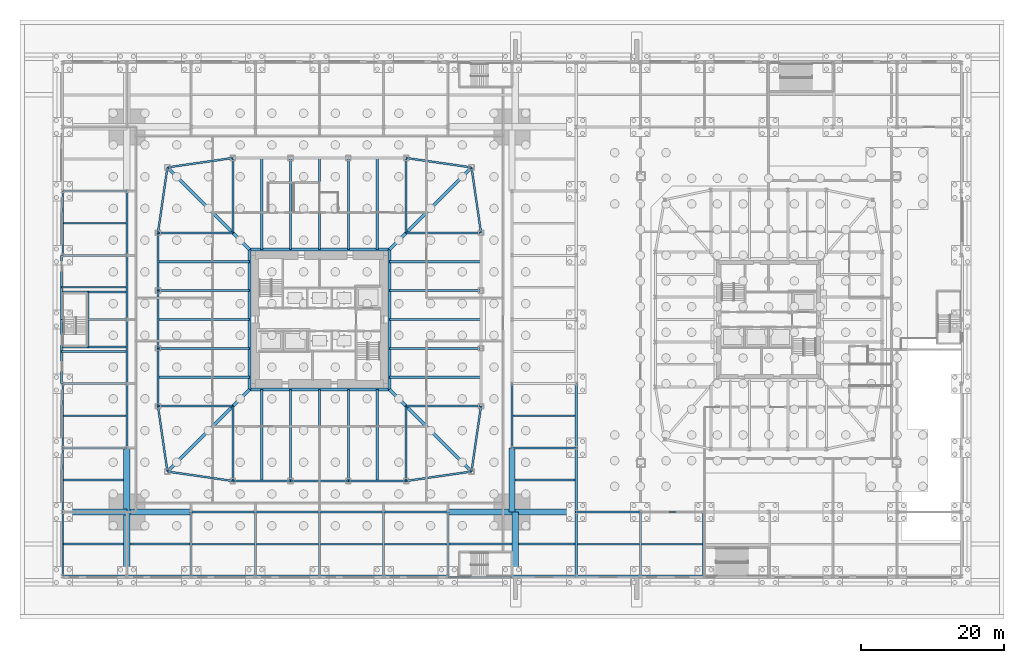
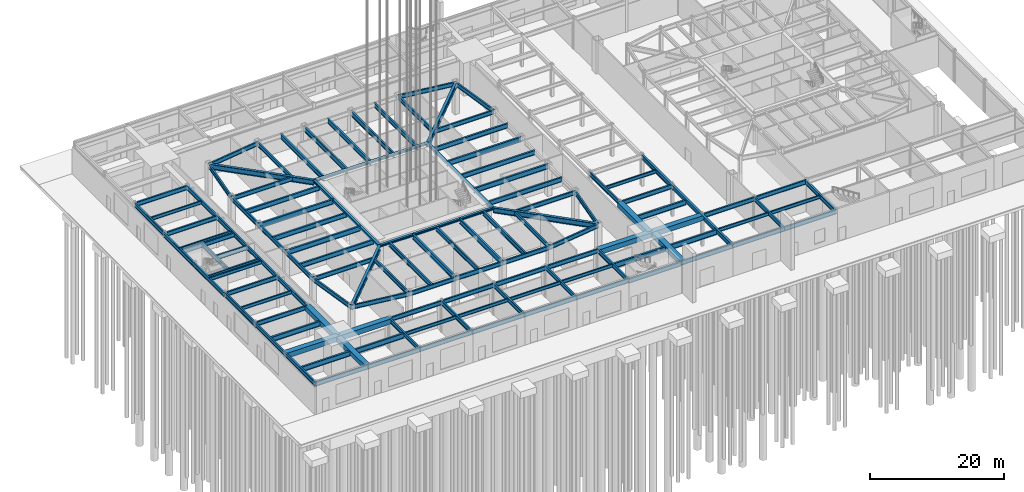
# One storey, part 9 of 37: 121 beams.
"""IFC4 building model written with IfcOpenShell, lengths in metres."""

from ifc_helpers import new_model, si_unit, direction, frame, origin, origin_2d, place, context, subcontext, project, spatial, hollow_rectangle, i_section, extrude, material, material_profile, profile_set, type_object, element, save


model = new_model("IFC4")

# Units and contexts
model_context = context("Model", 3, precision=1e-05, world=origin(), true_north=direction((0.0, 1.0)))
body_context = subcontext(model_context, "Body", "Model", "MODEL_VIEW")
ifc_project = project(units=[si_unit("LENGTHUNIT", "METRE"), si_unit("AREAUNIT", "SQUARE_METRE"), si_unit("VOLUMEUNIT", "CUBIC_METRE"), si_unit("PLANEANGLEUNIT", "RADIAN"), si_unit("MASSUNIT", "GRAM", prefix="KILO")], contexts=[model_context])

# Site, building, storey
site_placement = place(None, origin())
site = spatial("IfcSite", under=ifc_project, at=site_placement, CompositionType="ELEMENT")
building_placement = place(site_placement, origin())
building = spatial("IfcBuilding", under=site, at=building_placement, Name="Iwan Alto Co-Living Towers", CompositionType="ELEMENT")
storey_placement = place(building_placement, origin())
storey = spatial("IfcBuildingStorey", under=building, at=storey_placement, Name="L00", CompositionType="ELEMENT", Elevation=0.0)

# Beams
ifc_material_1 = material(Name="Steel ASTM A992 Gr 50", Category="steel")
ifc_material_profile_1 = material_profile(ifc_material_1, i_section(OverallWidth=0.2666015625, OverallDepth=0.76953125, WebThickness=0.015625, FlangeThickness=0.025390625, at=origin_2d()), Name="W30X132")
ifc_profile_set_1 = profile_set([ifc_material_profile_1], Name="Steel ASTM A992 Gr 50")
beam_type_1 = type_object("IfcBeamType", Name="PODIUM BEAM W30X132", PredefinedType="BEAM", material=ifc_profile_set_1)
for number, where, z_axis, x_axis, name in (
    (1, (-36.0, -36.0, 5.365234375), (1.0, 0.0, 0.0), (0.0, 1.0, 0.0), "Podium beam 1/A-2/A L01"),
    (2, (-36.0, -36.0, 5.365234375), (0.0, 1.0, 0.0), (-1.0, 0.0, 0.0), "Podium beam 1/A-1/B L01"),
    (3, (-36.0, -27.0, 5.365234375), (0.0, 1.0, 0.0), (-1.0, 0.0, 0.0), "Podium beam 1/B-1/C L01"),
    (4, (-36.0, -18.0, 5.365234375), (1.0, 0.0, 0.0), (0.0, 1.0, 0.0), "Podium beam 1/C-2/C L01"),
    (5, (-36.0, -18.0, 5.365234375), (0.0, 1.0, 0.0), (-1.0, 0.0, 0.0), "Podium beam 1/C-1/D L01"),
    (6, (-36.0, -9.0, 5.365234375), (1.0, 0.0, 0.0), (0.0, 1.0, 0.0), "Podium beam 1/D-2/D L01"),
    (7, (-36.1533203125, -9.0, 5.365234375), (0.0, 1.0, 0.0), (-1.0, 0.0, 0.0), "Podium beam 1/D-1/E L01"),
    (8, (-36.1533203125, 0.0, 5.365234375), (0.0, 1.0, 0.0), (-1.0, 0.0, 0.0), "Podium beam 1/E-1/F L01"),
    (9, (-36.0, 9.0, 5.365234375), (1.0, 0.0, 0.0), (0.0, 1.0, 0.0), "Podium beam 1/F-2/F L01"),
    (10, (-36.0, 9.0, 5.365234375), (0.0, 1.0, 0.0), (-1.0, 0.0, 0.0), "Podium beam 1/F-1/G L01"),
    (11, (-36.0, 18.0, 5.365234375), (1.0, 0.0, 0.0), (0.0, 1.0, 0.0), "Podium beam 1/G-2/G L01"),
    (12, (-27.0, -36.0, 5.365234375), (1.0, 0.0, 0.0), (0.0, 1.0, 0.0), "Podium beam 2/A-3/A L01"),
    (13, (-27.0, -18.0, 5.365234375), (0.0, 1.0, 0.0), (-1.0, 0.0, 0.0), "Podium beam 2/C-2/D L01"),
    (14, (-27.0, -9.0, 5.365234375), (0.0, 1.0, 0.0), (-1.0, 0.0, 0.0), "Podium beam 2/D-2/E L01"),
    (15, (-27.0, 0.0, 5.365234375), (0.0, 1.0, 0.0), (-1.0, 0.0, 0.0), "Podium beam 2/E-2/F L01"),
    (16, (-27.0, 9.0, 5.365234375), (0.0, 1.0, 0.0), (-1.0, 0.0, 0.0), "Podium beam 2/F-2/G L01"),
    (17, (-18.0, -36.0, 5.365234375), (1.0, 0.0, 0.0), (0.0, 1.0, 0.0), "Podium beam 3/A-4/A L01"),
    (18, (-18.0, -36.0, 5.365234375), (0.0, 1.0, 0.0), (-1.0, 0.0, 0.0), "Podium beam 3/A-3/B L01"),
    (19, (-18.0, -27.0, 5.365234375), (1.0, 0.0, 0.0), (0.0, 1.0, 0.0), "Podium beam 3/B-4/B L01"),
    (20, (-9.0, -36.0, 5.365234375), (1.0, 0.0, 0.0), (0.0, 1.0, 0.0), "Podium beam 4/A-5/A L01"),
    (21, (-9.0, -36.0, 5.365234375), (0.0, 1.0, 0.0), (-1.0, 0.0, 0.0), "Podium beam 4/A-4/B L01"),
    (22, (-9.0, -27.0, 5.365234375), (1.0, 0.0, 0.0), (0.0, 1.0, 0.0), "Podium beam 4/B-5/B L01"),
    (23, (0.0, -36.0, 5.365234375), (1.0, 0.0, 0.0), (0.0, 1.0, 0.0), "Podium beam 5/A-6/A L01"),
    (24, (0.0, -36.0, 5.365234375), (0.0, 1.0, 0.0), (-1.0, 0.0, 0.0), "Podium beam 5/A-5/B L01"),
    (25, (0.0, -27.0, 5.365234375), (1.0, 0.0, 0.0), (0.0, 1.0, 0.0), "Podium beam 5/B-6/B L01"),
    (26, (9.0, -36.0, 5.365234375), (1.0, 0.0, 0.0), (0.0, 1.0, 0.0), "Podium beam 6/A-7/A L01"),
    (27, (9.0, -36.0, 5.365234375), (0.0, 1.0, 0.0), (-1.0, 0.0, 0.0), "Podium beam 6/A-6/B L01"),
    (28, (9.0, -27.0, 5.365234375), (1.0, 0.0, 0.0), (0.0, 1.0, 0.0), "Podium beam 6/B-7/B L01"),
    (29, (18.0, -36.1533203125, 5.365234375), (1.0, 0.0, 0.0), (0.0, 1.0, 0.0), "Podium beam 7/A-8/A L01"),
    (30, (18.0, -36.0, 5.365234375), (0.0, 1.0, 0.0), (-1.0, 0.0, 0.0), "Podium beam 7/A-7/B L01"),
    (31, (27.0, -36.0, 5.365234375), (1.0, 0.0, 0.0), (0.0, 1.0, 0.0), "Podium beam 8/A-9/A L01"),
    (32, (27.0, -18.0, 5.365234375), (1.0, 0.0, 0.0), (0.0, 1.0, 0.0), "Podium beam 8/C-9/C L01"),
    (33, (27.0, -18.0, 5.365234375), (0.0, 1.0, 0.0), (-1.0, 0.0, 0.0), "Podium beam 8/C-8/D L01"),
    (34, (36.0, -36.0, 5.365234375), (1.0, 0.0, 0.0), (0.0, 1.0, 0.0), "Podium beam 9/A-10/A L01"),
    (35, (36.0, -27.0, 5.365234375), (1.0, 0.0, 0.0), (0.0, 1.0, 0.0), "Podium beam 9/B-10/B L01"),
    (36, (45.0, -36.0, 5.365234375), (1.0, 0.0, 0.0), (0.0, 1.0, 0.0), "Podium beam 10/A-11/A L01"),
    (37, (45.0, -36.0, 5.365234375), (0.0, 1.0, 0.0), (-1.0, 0.0, 0.0), "Podium beam 10/A-10/B L01"),
    (38, (45.0, -27.0, 5.365234375), (1.0, 0.0, 0.0), (0.0, 1.0, 0.0), "Podium beam 10/B-11/B L01"),
    (39, (53.8466796875, -36.0, 5.365234375), (0.0, 1.0, 0.0), (-1.0, 0.0, 0.0), "Podium beam 11/A-11/B L01"),
):
    element("IfcBeam", number, at=place(storey_placement, frame(where, z_axis=z_axis, x_axis=x_axis)), inside=storey, type_object=beam_type_1, Name=name, PredefinedType="BEAM", context=body_context, shape_type="SweptSolid", body=[
        extrude(i_section(OverallWidth=0.2666015625, OverallDepth=0.76953125, WebThickness=0.015625, FlangeThickness=0.025390625, at=origin_2d()), origin(), (0.0, 0.0, 1.0), 9.0),
    ])
beam_1_placement = place(storey_placement, frame((-27.0, 0.0, 5.365234375), z_axis=(-1.0, 0.0, 0.0), x_axis=(0.0, -1.0, 0.0)))
element("IfcBeam", 40, at=beam_1_placement, inside=storey, type_object=beam_type_1, Name="Podium beam 2/E to stair header L01", PredefinedType="BEAM", context=body_context, shape_type="SweptSolid", body=[
    extrude(i_section(OverallWidth=0.2666015625, OverallDepth=0.76953125, WebThickness=0.015625, FlangeThickness=0.025390625, at=origin_2d()), origin(), (0.0, 0.0, 1.0), 5.446533203125),
])
ifc_material_2 = material(Name="Steel ASTM A992 Gr 50", Category="steel")
ifc_material_profile_2 = material_profile(ifc_material_2, i_section(OverallWidth=0.381103515625, OverallDepth=0.772216796875, WebThickness=0.0166015625, FlangeThickness=0.027099609375, at=origin_2d()), Name="W30X173")
ifc_profile_set_2 = profile_set([ifc_material_profile_2], Name="Steel ASTM A992 Gr 50")
beam_type_2 = type_object("IfcBeamType", Name="PODIUM JOINT BEAM W30X173", PredefinedType="BEAM", material=ifc_profile_set_2)
for number, where, z_axis, x_axis, name in (
    (41, (36.0, -36.0, 5.364013671875), (0.0, 1.0, 0.0), (-1.0, 0.0, 0.0), "Podium beam 9/A-9/B L01"),
    (42, (36.0, -27.0, 5.364013671875), (0.0, 1.0, 0.0), (-1.0, 0.0, 0.0), "Podium beam 9/B-9/C L01"),
    (43, (36.0, -18.0, 5.364013671875), (0.0, 1.0, 0.0), (-1.0, 0.0, 0.0), "Podium beam 9/C-9/D L01"),
):
    element("IfcBeam", number, at=place(storey_placement, frame(where, z_axis=z_axis, x_axis=x_axis)), inside=storey, type_object=beam_type_2, Name=name, PredefinedType="BEAM", context=body_context, shape_type="SweptSolid", body=[
        extrude(i_section(OverallWidth=0.381103515625, OverallDepth=0.772216796875, WebThickness=0.0166015625, FlangeThickness=0.027099609375, at=origin_2d()), origin(), (0.0, 0.0, 1.0), 9.0),
    ])
ifc_material_3 = material(Name="Steel ASTM A992 Gr 50", Category="steel")
ifc_material_profile_3 = material_profile(ifc_material_3, i_section(OverallWidth=0.307373046875, OverallDepth=0.927001953125, WebThickness=0.01953125, FlangeThickness=0.031982421875, at=origin_2d()), Name="W36X194")
ifc_profile_set_3 = profile_set([ifc_material_profile_3], Name="Steel ASTM A992 Gr 50")
beam_type_3 = type_object("IfcBeamType", Name="PODIUM PIER BAY SECONDARY BEAM W36X194", PredefinedType="JOIST", material=ifc_profile_set_3)
for number, where, z_axis, x_axis, name in (
    (44, (-35.86669921875, -31.5, 5.286376953125), (1.0, 0.0, 0.0), (0.0, 1.0, 0.0), "Podium secondary beam 1/A L01"),
    (45, (-35.86669921875, -22.5, 5.286376953125), (1.0, 0.0, 0.0), (0.0, 1.0, 0.0), "Podium secondary beam 1/B L01"),
    (46, (-26.550048828125, -31.5, 5.286376953125), (1.0, 0.0, 0.0), (0.0, 1.0, 0.0), "Podium secondary beam 2/A L01"),
):
    element("IfcBeam", number, at=place(storey_placement, frame(where, z_axis=z_axis, x_axis=x_axis)), inside=storey, type_object=beam_type_3, Name=name, PredefinedType="JOIST", context=body_context, shape_type="SweptSolid", body=[
        extrude(i_section(OverallWidth=0.307373046875, OverallDepth=0.927001953125, WebThickness=0.01953125, FlangeThickness=0.031982421875, at=origin_2d()), origin(), (0.0, 0.0, 1.0), 8.416748046875),
    ])
beam_2_placement = place(storey_placement, frame((18.13330078125, -31.5, 5.286376953125), z_axis=(1.0, 0.0, 0.0), x_axis=(0.0, 1.0, 0.0)))
element("IfcBeam", 47, at=beam_2_placement, inside=storey, type_object=beam_type_3, Name="Podium secondary beam 7/A L01", PredefinedType="JOIST", context=body_context, shape_type="SweptSolid", body=[
    extrude(i_section(OverallWidth=0.307373046875, OverallDepth=0.927001953125, WebThickness=0.01953125, FlangeThickness=0.031982421875, at=origin_2d()), origin(), (0.0, 0.0, 1.0), 8.88671875),
])
beam_3_placement = place(storey_placement, frame((27.919921875, -31.5, 5.286376953125), z_axis=(1.0, 0.0, 0.0), x_axis=(0.0, 1.0, 0.0)))
element("IfcBeam", 48, at=beam_3_placement, inside=storey, type_object=beam_type_3, Name="Podium secondary beam 8/A L01", PredefinedType="JOIST", context=body_context, shape_type="SweptSolid", body=[
    extrude(i_section(OverallWidth=0.307373046875, OverallDepth=0.927001953125, WebThickness=0.01953125, FlangeThickness=0.031982421875, at=origin_2d()), origin(), (0.0, 0.0, 1.0), 7.8896484375),
])
beam_4_placement = place(storey_placement, frame((27.449951171875, -22.5, 5.286376953125), z_axis=(1.0, 0.0, 0.0), x_axis=(0.0, 1.0, 0.0)))
element("IfcBeam", 49, at=beam_4_placement, inside=storey, type_object=beam_type_3, Name="Podium secondary beam 8/B L01", PredefinedType="JOIST", context=body_context, shape_type="SweptSolid", body=[
    extrude(i_section(OverallWidth=0.307373046875, OverallDepth=0.927001953125, WebThickness=0.01953125, FlangeThickness=0.031982421875, at=origin_2d()), origin(), (0.0, 0.0, 1.0), 8.359619140625),
])
ifc_material_4 = material(Name="Steel ASTM A572 Gr 50", Category="steel")
ifc_material_profile_4 = material_profile(ifc_material_4, hollow_rectangle(XDim=0.89990234375, YDim=0.89990234375, WallThickness=0.06005859375, at=origin_2d()), Name="BOX 900X900X60")
ifc_profile_set_4 = profile_set([ifc_material_profile_4], Name="Steel ASTM A572 Gr 50")
beam_type_4 = type_object("IfcBeamType", Name="PODIUM PIER BEAM BOX 900X900X60", PredefinedType="BEAM", material=ifc_profile_set_4)
for number, where, z_axis, x_axis, name in (
    (50, (-36.0, -27.0, 5.300048828125), (1.0, 0.0, 0.0), (0.0, 1.0, 0.0), "Podium beam 1/B-2/B L01"),
    (51, (-27.0, -36.0, 5.300048828125), (0.0, 1.0, 0.0), (-1.0, 0.0, 0.0), "Podium beam 2/A-2/B L01"),
    (52, (-27.0, -27.0, 5.300048828125), (1.0, 0.0, 0.0), (0.0, 1.0, 0.0), "Podium beam 2/B-3/B L01"),
    (53, (-27.0, -27.0, 5.300048828125), (0.0, 1.0, 0.0), (-1.0, 0.0, 0.0), "Podium beam 2/B-2/C L01"),
    (54, (18.0, -27.0, 5.300048828125), (1.0, 0.0, 0.0), (0.0, 1.0, 0.0), "Podium beam 7/B-8/B L01"),
    (55, (27.469970703125, -36.0, 5.300048828125), (0.0, 1.0, 0.0), (-1.0, 0.0, 0.0), "Podium beam 8/A-8/B L01"),
    (56, (27.0, -27.0, 5.300048828125), (1.0, 0.0, 0.0), (0.0, 1.0, 0.0), "Podium beam 8/B-9/B L01"),
    (57, (27.0, -27.0, 5.300048828125), (0.0, 1.0, 0.0), (-1.0, 0.0, 0.0), "Podium beam 8/B-8/C L01"),
):
    element("IfcBeam", number, at=place(storey_placement, frame(where, z_axis=z_axis, x_axis=x_axis)), inside=storey, type_object=beam_type_4, Name=name, PredefinedType="BEAM", context=body_context, shape_type="SweptSolid", body=[
        extrude(hollow_rectangle(XDim=0.89990234375, YDim=0.89990234375, WallThickness=0.06005859375, at=origin_2d()), origin(), (0.0, 0.0, 1.0), 9.0),
    ])
ifc_material_5 = material(Name="Steel ASTM A992 Gr 50", Category="steel")
ifc_material_profile_5 = material_profile(ifc_material_5, i_section(OverallWidth=0.23046875, OverallDepth=0.6171875, WebThickness=0.01318359375, FlangeThickness=0.022216796875, at=origin_2d()), Name="W24X94")
ifc_profile_set_5 = profile_set([ifc_material_profile_5], Name="Steel ASTM A992 Gr 50")
beam_type_5 = type_object("IfcBeamType", Name="PODIUM SECONDARY BEAM W24X94", PredefinedType="JOIST", material=ifc_profile_set_5)
beam_5_placement = place(storey_placement, frame((-35.86669921875, -13.5, 5.44140625), z_axis=(1.0, 0.0, 0.0), x_axis=(0.0, 1.0, 0.0)))
element("IfcBeam", 58, at=beam_5_placement, inside=storey, type_object=beam_type_5, Name="Podium secondary beam 1/C L01", PredefinedType="JOIST", context=body_context, shape_type="SweptSolid", body=[
    extrude(i_section(OverallWidth=0.23046875, OverallDepth=0.6171875, WebThickness=0.01318359375, FlangeThickness=0.022216796875, at=origin_2d()), origin(), (0.0, 0.0, 1.0), 8.7333984375),
])
for number, where, z_axis, x_axis, name in (
    (59, (-36.1533203125, -4.5, 5.44140625), (1.0, 0.0, 0.0), (0.0, 1.0, 0.0), "Podium secondary beam 1/D L01"),
    (60, (-36.1533203125, 4.5, 5.44140625), (1.0, 0.0, 0.0), (0.0, 1.0, 0.0), "Podium secondary beam 1/E L01"),
):
    element("IfcBeam", number, at=place(storey_placement, frame(where, z_axis=z_axis, x_axis=x_axis)), inside=storey, type_object=beam_type_5, Name=name, PredefinedType="JOIST", context=body_context, shape_type="SweptSolid", body=[
        extrude(i_section(OverallWidth=0.23046875, OverallDepth=0.6171875, WebThickness=0.01318359375, FlangeThickness=0.022216796875, at=origin_2d()), origin(), (0.0, 0.0, 1.0), 9.02001953125),
    ])
for number, where, z_axis, x_axis, name in (
    (61, (-35.86669921875, 13.5, 5.44140625), (1.0, 0.0, 0.0), (0.0, 1.0, 0.0), "Podium secondary beam 1/F L01"),
    (62, (-17.86669921875, -31.5, 5.44140625), (1.0, 0.0, 0.0), (0.0, 1.0, 0.0), "Podium secondary beam 3/A L01"),
    (63, (-8.86669921875, -31.5, 5.44140625), (1.0, 0.0, 0.0), (0.0, 1.0, 0.0), "Podium secondary beam 4/A L01"),
    (64, (0.13330078125, -31.5, 5.44140625), (1.0, 0.0, 0.0), (0.0, 1.0, 0.0), "Podium secondary beam 5/A L01"),
    (65, (9.13330078125, -31.5, 5.44140625), (1.0, 0.0, 0.0), (0.0, 1.0, 0.0), "Podium secondary beam 6/A L01"),
):
    element("IfcBeam", number, at=place(storey_placement, frame(where, z_axis=z_axis, x_axis=x_axis)), inside=storey, type_object=beam_type_5, Name=name, PredefinedType="JOIST", context=body_context, shape_type="SweptSolid", body=[
        extrude(i_section(OverallWidth=0.23046875, OverallDepth=0.6171875, WebThickness=0.01318359375, FlangeThickness=0.022216796875, at=origin_2d()), origin(), (0.0, 0.0, 1.0), 8.7333984375),
    ])
for number, where, z_axis, x_axis, name in (
    (66, (27.13330078125, -13.5, 5.44140625), (1.0, 0.0, 0.0), (0.0, 1.0, 0.0), "Podium secondary beam 8/C L01"),
    (67, (36.1904296875, -31.5, 5.44140625), (1.0, 0.0, 0.0), (0.0, 1.0, 0.0), "Podium secondary beam 9/A L01"),
):
    element("IfcBeam", number, at=place(storey_placement, frame(where, z_axis=z_axis, x_axis=x_axis)), inside=storey, type_object=beam_type_5, Name=name, PredefinedType="JOIST", context=body_context, shape_type="SweptSolid", body=[
        extrude(i_section(OverallWidth=0.23046875, OverallDepth=0.6171875, WebThickness=0.01318359375, FlangeThickness=0.022216796875, at=origin_2d()), origin(), (0.0, 0.0, 1.0), 8.67626953125),
    ])
beam_6_placement = place(storey_placement, frame((45.13330078125, -31.5, 5.44140625), z_axis=(1.0, 0.0, 0.0), x_axis=(0.0, 1.0, 0.0)))
element("IfcBeam", 68, at=beam_6_placement, inside=storey, type_object=beam_type_5, Name="Podium secondary beam 10/A L01", PredefinedType="JOIST", context=body_context, shape_type="SweptSolid", body=[
    extrude(i_section(OverallWidth=0.23046875, OverallDepth=0.6171875, WebThickness=0.01318359375, FlangeThickness=0.022216796875, at=origin_2d()), origin(), (0.0, 0.0, 1.0), 8.580078125),
])
ifc_material_6 = material(Name="Steel ASTM A992 Gr 50", Category="steel")
ifc_material_profile_6 = material_profile(ifc_material_6, i_section(OverallWidth=0.2666015625, OverallDepth=0.76953125, WebThickness=0.015625, FlangeThickness=0.025390625, at=origin_2d()), Name="W30X132")
ifc_profile_set_6 = profile_set([ifc_material_profile_6], Name="Steel ASTM A992 Gr 50")
beam_type_6 = type_object("IfcBeamType", Name="PODIUM STAIR HEADER BEAM W30X132", PredefinedType="BEAM", material=ifc_profile_set_6)
beam_7_placement = place(storey_placement, frame((-32.446533203125, -3.853271484375, 5.365234375), z_axis=(0.0, 1.0, 0.0), x_axis=(-1.0, 0.0, 0.0)))
element("IfcBeam", 69, at=beam_7_placement, inside=storey, type_object=beam_type_6, Name="Podium stair header 1/E-2/E L01", PredefinedType="BEAM", context=body_context, shape_type="SweptSolid", body=[
    extrude(i_section(OverallWidth=0.2666015625, OverallDepth=0.76953125, WebThickness=0.015625, FlangeThickness=0.025390625, at=origin_2d()), origin(), (0.0, 0.0, 1.0), 7.70654296875),
])
ifc_material_7 = material(Name="Steel ASTM A992 Gr 50", Category="steel")
ifc_material_profile_7 = material_profile(ifc_material_7, i_section(OverallWidth=0.2666015625, OverallDepth=0.76953125, WebThickness=0.015625, FlangeThickness=0.025390625, at=origin_2d()), Name="W30X132")
ifc_profile_set_7 = profile_set([ifc_material_profile_7], Name="Steel ASTM A992 Gr 50")
beam_type_7 = type_object("IfcBeamType", Name="PODIUM STAIR TRIMMER BEAM W30X132", PredefinedType="BEAM", material=ifc_profile_set_7)
for number, where, z_axis, x_axis, name in (
    (70, (-36.1533203125, -3.853271484375, 5.365234375), (1.0, 0.0, 0.0), (0.0, 1.0, 0.0), "Podium stair trimmer 1/E-2/E S L01"),
    (71, (-36.1533203125, 3.853271484375, 5.365234375), (1.0, 0.0, 0.0), (0.0, 1.0, 0.0), "Podium stair trimmer 1/E-2/E N L01"),
):
    element("IfcBeam", number, at=place(storey_placement, frame(where, z_axis=z_axis, x_axis=x_axis)), inside=storey, type_object=beam_type_7, Name=name, PredefinedType="BEAM", context=body_context, shape_type="SweptSolid", body=[
        extrude(i_section(OverallWidth=0.2666015625, OverallDepth=0.76953125, WebThickness=0.015625, FlangeThickness=0.025390625, at=origin_2d()), origin(), (0.0, 0.0, 1.0), 9.1533203125),
    ])
ifc_material_8 = material(Name="Steel ASTM A992 Gr 50", Category="steel")
ifc_material_profile_8 = material_profile(ifc_material_8, i_section(OverallWidth=0.40380859375, OverallDepth=0.406494140625, WebThickness=0.027099609375, FlangeThickness=0.043701171875, at=origin_2d()), Name="W14X233")
ifc_profile_set_8 = profile_set([ifc_material_profile_8], Name="Steel ASTM A992 Gr 50")
beam_type_8 = type_object("IfcBeamType", Name="T1 CORE LEDGER BEAM W14X233", PredefinedType="BEAM", material=ifc_profile_set_8)
for number, where, z_axis, x_axis, name in (
    (72, (-9.802001953125, -9.802001953125, 5.546875), (1.0, 0.0, 0.0), (0.0, 1.0, 0.0), "T1 core ledger beam S L01"),
    (73, (9.802001953125, -9.802001953125, 5.546875), (0.0, 1.0, 0.0), (-1.0, 0.0, 0.0), "T1 core ledger beam E L01"),
    (74, (9.802001953125, 9.802001953125, 5.546875), (-1.0, 0.0, 0.0), (0.0, -1.0, 0.0), "T1 core ledger beam N L01"),
    (75, (-9.802001953125, 9.802001953125, 5.546875), (0.0, -1.0, 0.0), (1.0, 0.0, 0.0), "T1 core ledger beam W L01"),
):
    element("IfcBeam", number, at=place(storey_placement, frame(where, z_axis=z_axis, x_axis=x_axis)), inside=storey, type_object=beam_type_8, Name=name, PredefinedType="BEAM", context=body_context, shape_type="SweptSolid", body=[
        extrude(i_section(OverallWidth=0.40380859375, OverallDepth=0.406494140625, WebThickness=0.027099609375, FlangeThickness=0.043701171875, at=origin_2d()), origin(), (0.0, 0.0, 1.0), 19.60400390625),
    ])
ifc_material_9 = material(Name="Steel ASTM A992 Gr 50", Category="steel")
ifc_material_profile_9 = material_profile(ifc_material_9, i_section(OverallWidth=0.424072265625, OverallDepth=0.947509765625, WebThickness=0.02392578125, FlangeThickness=0.042724609375, at=origin_2d()), Name="W36X302")
ifc_profile_set_9 = profile_set([ifc_material_profile_9], Name="Steel ASTM A992 Gr 50")
beam_type_9 = type_object("IfcBeamType", Name="T1 CORNER GIRDER W36X302", PredefinedType="BEAM", material=ifc_profile_set_9)
for number, where, z_axis, x_axis, name in (
    (76, (-21.32568359375, -21.32568359375, 5.2763671875), (0.707106781187, 0.707106781187, 0.0), (-0.707106781187, 0.707106781187, 0.0), "T1 corner girder CSW L01"),
    (77, (21.32568359375, -21.32568359375, 5.2763671875), (-0.707106781187, 0.707106781187, 0.0), (-0.707106781187, -0.707106781187, 0.0), "T1 corner girder CSE L01"),
    (78, (21.32568359375, 21.32568359375, 5.2763671875), (-0.707106781187, -0.707106781187, 0.0), (0.707106781187, -0.707106781187, 0.0), "T1 corner girder CNE L01"),
    (79, (-21.32568359375, 21.32568359375, 5.2763671875), (0.707106781187, -0.707106781187, 0.0), (0.707106781187, 0.707106781187, 0.0), "T1 corner girder CNW L01"),
):
    element("IfcBeam", number, at=place(storey_placement, frame(where, z_axis=z_axis, x_axis=x_axis)), inside=storey, type_object=beam_type_9, Name=name, PredefinedType="BEAM", context=body_context, shape_type="SweptSolid", body=[
        extrude(i_section(OverallWidth=0.424072265625, OverallDepth=0.947509765625, WebThickness=0.02392578125, FlangeThickness=0.042724609375, at=origin_2d()), origin(), (0.0, 0.0, 1.0), 16.296875),
    ])
ifc_material_10 = material(Name="Steel ASTM A992 Gr 50", Category="steel")
ifc_material_profile_10 = material_profile(ifc_material_10, i_section(OverallWidth=0.2666015625, OverallDepth=0.761962890625, WebThickness=0.014404296875, FlangeThickness=0.021484375, at=origin_2d()), Name="W30X116")
ifc_profile_set_10 = profile_set([ifc_material_profile_10], Name="Steel ASTM A992 Gr 50")
beam_type_10 = type_object("IfcBeamType", Name="T1 EDGE BEAM W30X116", PredefinedType="BEAM", material=ifc_profile_set_10)
beam_8_placement = place(storey_placement, frame((-21.32568359375, -21.32568359375, 5.368896484375), z_axis=(0.989746234347, -0.142836940589, 0.0), x_axis=(0.142836940589, 0.989746234347, 0.0)))
element("IfcBeam", 80, at=beam_8_placement, inside=storey, type_object=beam_type_10, Name="T1 edge beam CSW L01", PredefinedType="BEAM", context=body_context, shape_type="SweptSolid", body=[
    extrude(i_section(OverallWidth=0.2666015625, OverallDepth=0.761962890625, WebThickness=0.014404296875, FlangeThickness=0.021484375, at=origin_2d()), origin(), (0.0, 0.0, 1.0), 9.270751953125),
])
beam_9_placement = place(storey_placement, frame((-12.14990234375, -22.64990234375, 5.368896484375), z_axis=(1.0, 0.0, 0.0), x_axis=(0.0, 1.0, 0.0)))
element("IfcBeam", 81, at=beam_9_placement, inside=storey, type_object=beam_type_10, Name="T1 edge beam S1 L01", PredefinedType="BEAM", context=body_context, shape_type="SweptSolid", body=[
    extrude(i_section(OverallWidth=0.2666015625, OverallDepth=0.761962890625, WebThickness=0.014404296875, FlangeThickness=0.021484375, at=origin_2d()), origin(), (0.0, 0.0, 1.0), 8.099853515625),
])
beam_10_placement = place(storey_placement, frame((-4.050048828125, -22.64990234375, 5.368896484375), z_axis=(1.0, 0.0, 0.0), x_axis=(0.0, 1.0, 0.0)))
element("IfcBeam", 82, at=beam_10_placement, inside=storey, type_object=beam_type_10, Name="T1 edge beam S2 L01", PredefinedType="BEAM", context=body_context, shape_type="SweptSolid", body=[
    extrude(i_section(OverallWidth=0.2666015625, OverallDepth=0.761962890625, WebThickness=0.014404296875, FlangeThickness=0.021484375, at=origin_2d()), origin(), (0.0, 0.0, 1.0), 8.10009765625),
])
beam_11_placement = place(storey_placement, frame((4.050048828125, -22.64990234375, 5.368896484375), z_axis=(1.0, 0.0, 0.0), x_axis=(0.0, 1.0, 0.0)))
element("IfcBeam", 83, at=beam_11_placement, inside=storey, type_object=beam_type_10, Name="T1 edge beam S3 L01", PredefinedType="BEAM", context=body_context, shape_type="SweptSolid", body=[
    extrude(i_section(OverallWidth=0.2666015625, OverallDepth=0.761962890625, WebThickness=0.014404296875, FlangeThickness=0.021484375, at=origin_2d()), origin(), (0.0, 0.0, 1.0), 8.099853515625),
])
for number, where, z_axis, x_axis, name in (
    (84, (12.14990234375, -22.64990234375, 5.368896484375), (0.989746234347, 0.142836940589, 0.0), (-0.142836940589, 0.989746234347, 0.0), "T1 edge beam S4 L01"),
    (85, (21.32568359375, -21.32568359375, 5.368896484375), (0.142836940589, 0.989746234347, 0.0), (-0.989746234347, 0.142836940589, 0.0), "T1 edge beam CSE L01"),
    (86, (22.64990234375, 12.14990234375, 5.368896484375), (-0.142836940589, 0.989746234347, 0.0), (-0.989746234347, -0.142836940589, 0.0), "T1 edge beam E4 L01"),
    (87, (21.32568359375, 21.32568359375, 5.368896484375), (-0.989746234347, 0.142836940589, 0.0), (-0.142836940589, -0.989746234347, 0.0), "T1 edge beam CNE L01"),
    (88, (-12.14990234375, 22.64990234375, 5.368896484375), (-0.989746234347, -0.142836940589, 0.0), (0.142836940589, -0.989746234347, 0.0), "T1 edge beam N4 L01"),
    (89, (-21.32568359375, 21.32568359375, 5.368896484375), (-0.142836940589, -0.989746234347, 0.0), (0.989746234347, -0.142836940589, 0.0), "T1 edge beam CNW L01"),
):
    element("IfcBeam", number, at=place(storey_placement, frame(where, z_axis=z_axis, x_axis=x_axis)), inside=storey, type_object=beam_type_10, Name=name, PredefinedType="BEAM", context=body_context, shape_type="SweptSolid", body=[
        extrude(i_section(OverallWidth=0.2666015625, OverallDepth=0.761962890625, WebThickness=0.014404296875, FlangeThickness=0.021484375, at=origin_2d()), origin(), (0.0, 0.0, 1.0), 9.270751953125),
    ])
beam_12_placement = place(storey_placement, frame((-22.64990234375, 12.14990234375, 5.368896484375), z_axis=(0.0, -1.0, 0.0), x_axis=(1.0, 0.0, 0.0)))
element("IfcBeam", 90, at=beam_12_placement, inside=storey, type_object=beam_type_10, Name="T1 edge beam W1 L01", PredefinedType="BEAM", context=body_context, shape_type="SweptSolid", body=[
    extrude(i_section(OverallWidth=0.2666015625, OverallDepth=0.761962890625, WebThickness=0.014404296875, FlangeThickness=0.021484375, at=origin_2d()), origin(), (0.0, 0.0, 1.0), 8.099853515625),
])
beam_13_placement = place(storey_placement, frame((-22.64990234375, 4.050048828125, 5.368896484375), z_axis=(0.0, -1.0, 0.0), x_axis=(1.0, 0.0, 0.0)))
element("IfcBeam", 91, at=beam_13_placement, inside=storey, type_object=beam_type_10, Name="T1 edge beam W2 L01", PredefinedType="BEAM", context=body_context, shape_type="SweptSolid", body=[
    extrude(i_section(OverallWidth=0.2666015625, OverallDepth=0.761962890625, WebThickness=0.014404296875, FlangeThickness=0.021484375, at=origin_2d()), origin(), (0.0, 0.0, 1.0), 8.10009765625),
])
beam_14_placement = place(storey_placement, frame((-22.64990234375, -4.050048828125, 5.368896484375), z_axis=(0.0, -1.0, 0.0), x_axis=(1.0, 0.0, 0.0)))
element("IfcBeam", 92, at=beam_14_placement, inside=storey, type_object=beam_type_10, Name="T1 edge beam W3 L01", PredefinedType="BEAM", context=body_context, shape_type="SweptSolid", body=[
    extrude(i_section(OverallWidth=0.2666015625, OverallDepth=0.761962890625, WebThickness=0.014404296875, FlangeThickness=0.021484375, at=origin_2d()), origin(), (0.0, 0.0, 1.0), 8.099853515625),
])
beam_15_placement = place(storey_placement, frame((-22.64990234375, -12.14990234375, 5.368896484375), z_axis=(0.142836940589, -0.989746234347, 0.0), x_axis=(0.989746234347, 0.142836940589, 0.0)))
element("IfcBeam", 93, at=beam_15_placement, inside=storey, type_object=beam_type_10, Name="T1 edge beam W4 L01", PredefinedType="BEAM", context=body_context, shape_type="SweptSolid", body=[
    extrude(i_section(OverallWidth=0.2666015625, OverallDepth=0.761962890625, WebThickness=0.014404296875, FlangeThickness=0.021484375, at=origin_2d()), origin(), (0.0, 0.0, 1.0), 9.270751953125),
])
ifc_material_11 = material(Name="Steel ASTM A992 Gr 50", Category="steel")
ifc_material_profile_11 = material_profile(ifc_material_11, i_section(OverallWidth=0.2666015625, OverallDepth=0.761962890625, WebThickness=0.014404296875, FlangeThickness=0.021484375, at=origin_2d()), Name="W30X116")
ifc_profile_set_11 = profile_set([ifc_material_profile_11], Name="Steel ASTM A992 Gr 50")
beam_type_11 = type_object("IfcBeamType", Name="T1 RADIAL BEAM W30X116", PredefinedType="BEAM", material=ifc_profile_set_11)
for number, where, z_axis, x_axis, name in (
    (94, (-12.14990234375, -22.64990234375, 5.368896484375), (0.0, 1.0, 0.0), (-1.0, 0.0, 0.0), "T1 radial beam S1 L01"),
    (95, (12.14990234375, -22.64990234375, 5.368896484375), (0.0, 1.0, 0.0), (-1.0, 0.0, 0.0), "T1 radial beam S4 L01"),
    (96, (22.64990234375, -12.14990234375, 5.368896484375), (-1.0, 0.0, 0.0), (0.0, -1.0, 0.0), "T1 radial beam E1 L01"),
    (97, (22.64990234375, 12.14990234375, 5.368896484375), (-1.0, 0.0, 0.0), (0.0, -1.0, 0.0), "T1 radial beam E4 L01"),
    (98, (12.14990234375, 22.64990234375, 5.368896484375), (0.0, -1.0, 0.0), (1.0, 0.0, 0.0), "T1 radial beam N1 L01"),
    (99, (-12.14990234375, 22.64990234375, 5.368896484375), (0.0, -1.0, 0.0), (1.0, 0.0, 0.0), "T1 radial beam N4 L01"),
    (100, (-22.64990234375, 12.14990234375, 5.368896484375), (1.0, 0.0, 0.0), (0.0, 1.0, 0.0), "T1 radial beam W1 L01"),
    (101, (-22.64990234375, -12.14990234375, 5.368896484375), (1.0, 0.0, 0.0), (0.0, 1.0, 0.0), "T1 radial beam W4 L01"),
):
    element("IfcBeam", number, at=place(storey_placement, frame(where, z_axis=z_axis, x_axis=x_axis)), inside=storey, type_object=beam_type_11, Name=name, PredefinedType="BEAM", context=body_context, shape_type="SweptSolid", body=[
        extrude(i_section(OverallWidth=0.2666015625, OverallDepth=0.761962890625, WebThickness=0.014404296875, FlangeThickness=0.021484375, at=origin_2d()), origin(), (0.0, 0.0, 1.0), 10.5),
    ])
ifc_material_12 = material(Name="Steel ASTM A992 Gr 50", Category="steel")
ifc_material_profile_12 = material_profile(ifc_material_12, i_section(OverallWidth=0.3046875, OverallDepth=0.911865234375, WebThickness=0.015869140625, FlangeThickness=0.02392578125, at=origin_2d()), Name="W36X150")
ifc_profile_set_12 = profile_set([ifc_material_profile_12], Name="Steel ASTM A992 Gr 50")
beam_type_12 = type_object("IfcBeamType", Name="T1 RADIAL BEAM W36X150", PredefinedType="BEAM", material=ifc_profile_set_12)
for number, where, z_axis, x_axis, name in (
    (102, (-4.050048828125, -22.64990234375, 5.294189453125), (0.0, 1.0, 0.0), (-1.0, 0.0, 0.0), "T1 radial beam S2 L01"),
    (103, (4.050048828125, -22.64990234375, 5.294189453125), (0.0, 1.0, 0.0), (-1.0, 0.0, 0.0), "T1 radial beam S3 L01"),
    (104, (22.64990234375, -4.050048828125, 5.294189453125), (-1.0, 0.0, 0.0), (0.0, -1.0, 0.0), "T1 radial beam E2 L01"),
    (105, (22.64990234375, 4.050048828125, 5.294189453125), (-1.0, 0.0, 0.0), (0.0, -1.0, 0.0), "T1 radial beam E3 L01"),
    (106, (4.050048828125, 22.64990234375, 5.294189453125), (0.0, -1.0, 0.0), (1.0, 0.0, 0.0), "T1 radial beam N2 L01"),
    (107, (-4.050048828125, 22.64990234375, 5.294189453125), (0.0, -1.0, 0.0), (1.0, 0.0, 0.0), "T1 radial beam N3 L01"),
    (108, (-22.64990234375, 4.050048828125, 5.294189453125), (1.0, 0.0, 0.0), (0.0, 1.0, 0.0), "T1 radial beam W2 L01"),
    (109, (-22.64990234375, -4.050048828125, 5.294189453125), (1.0, 0.0, 0.0), (0.0, 1.0, 0.0), "T1 radial beam W3 L01"),
):
    element("IfcBeam", number, at=place(storey_placement, frame(where, z_axis=z_axis, x_axis=x_axis)), inside=storey, type_object=beam_type_12, Name=name, PredefinedType="BEAM", context=body_context, shape_type="SweptSolid", body=[
        extrude(i_section(OverallWidth=0.3046875, OverallDepth=0.911865234375, WebThickness=0.015869140625, FlangeThickness=0.02392578125, at=origin_2d()), origin(), (0.0, 0.0, 1.0), 12.847900390625),
    ])
ifc_material_13 = material(Name="Steel ASTM A992 Gr 50", Category="steel")
ifc_material_profile_13 = material_profile(ifc_material_13, i_section(OverallWidth=0.2919921875, OverallDepth=0.8408203125, WebThickness=0.0146484375, FlangeThickness=0.021728515625, at=origin_2d()), Name="W33X130")
ifc_profile_set_13 = profile_set([ifc_material_profile_13], Name="Steel ASTM A992 Gr 50")
beam_type_13 = type_object("IfcBeamType", Name="T1 SECONDARY BEAM W33X130", PredefinedType="JOIST", material=ifc_profile_set_13)
for number, where, z_axis, x_axis, name in (
    (110, (-8.10009765625, -22.64990234375, 5.32958984375), (0.0, 1.0, 0.0), (-1.0, 0.0, 0.0), "T1 secondary beam S1 L01"),
    (111, (0.0, -22.64990234375, 5.32958984375), (0.0, 1.0, 0.0), (-1.0, 0.0, 0.0), "T1 secondary beam S2 L01"),
    (112, (8.10009765625, -22.64990234375, 5.32958984375), (0.0, 1.0, 0.0), (-1.0, 0.0, 0.0), "T1 secondary beam S3 L01"),
    (113, (22.64990234375, -8.10009765625, 5.32958984375), (-1.0, 0.0, 0.0), (0.0, -1.0, 0.0), "T1 secondary beam E1 L01"),
    (114, (22.64990234375, 0.0, 5.32958984375), (-1.0, 0.0, 0.0), (0.0, -1.0, 0.0), "T1 secondary beam E2 L01"),
    (115, (22.64990234375, 8.10009765625, 5.32958984375), (-1.0, 0.0, 0.0), (0.0, -1.0, 0.0), "T1 secondary beam E3 L01"),
    (116, (8.10009765625, 22.64990234375, 5.32958984375), (0.0, -1.0, 0.0), (1.0, 0.0, 0.0), "T1 secondary beam N1 L01"),
    (117, (0.0, 22.64990234375, 5.32958984375), (0.0, -1.0, 0.0), (1.0, 0.0, 0.0), "T1 secondary beam N2 L01"),
    (118, (-8.10009765625, 22.64990234375, 5.32958984375), (0.0, -1.0, 0.0), (1.0, 0.0, 0.0), "T1 secondary beam N3 L01"),
    (119, (-22.64990234375, 8.10009765625, 5.32958984375), (1.0, 0.0, 0.0), (0.0, 1.0, 0.0), "T1 secondary beam W1 L01"),
    (120, (-22.64990234375, 0.0, 5.32958984375), (1.0, 0.0, 0.0), (0.0, 1.0, 0.0), "T1 secondary beam W2 L01"),
    (121, (-22.64990234375, -8.10009765625, 5.32958984375), (1.0, 0.0, 0.0), (0.0, 1.0, 0.0), "T1 secondary beam W3 L01"),
):
    element("IfcBeam", number, at=place(storey_placement, frame(where, z_axis=z_axis, x_axis=x_axis)), inside=storey, type_object=beam_type_13, Name=name, PredefinedType="JOIST", context=body_context, shape_type="SweptSolid", body=[
        extrude(i_section(OverallWidth=0.2919921875, OverallDepth=0.8408203125, WebThickness=0.0146484375, FlangeThickness=0.021728515625, at=origin_2d()), origin(), (0.0, 0.0, 1.0), 12.847900390625),
    ])

save(model, "model.ifc")
